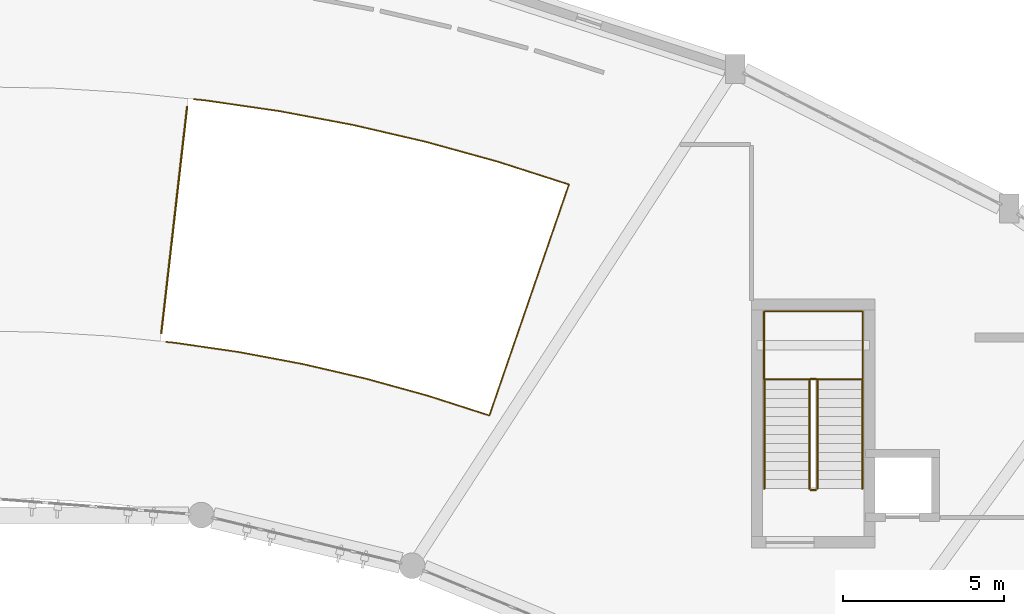
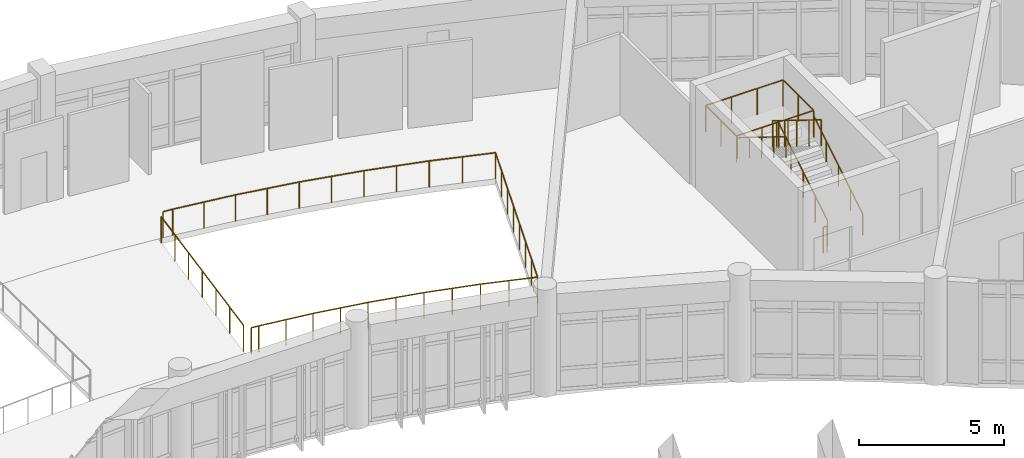
# One storey, part 55 of 57: 10 railings.
"""IFC4 building model written with IfcOpenShell, lengths in metres."""

from ifc_helpers import new_model, si_unit, direction, frame, origin, origin_2d, place, context, subcontext, project, spatial, circle, extrude, material, type_object, element, save


model = new_model("IFC4")

# Units and contexts
model_context = context("Model", 3, precision=1e-05, world=origin(), true_north=direction((0.0, 1.0)))
body_context = subcontext(model_context, "Body", "Model", "MODEL_VIEW")
ifc_project = project(units=[si_unit("LENGTHUNIT", "METRE"), si_unit("AREAUNIT", "SQUARE_METRE"), si_unit("VOLUMEUNIT", "CUBIC_METRE"), si_unit("PLANEANGLEUNIT", "RADIAN"), si_unit("MASSUNIT", "GRAM", prefix="KILO")], contexts=[model_context])

# Site, building, storey
site_placement = place(None, origin())
site = spatial("IfcSite", under=ifc_project, at=site_placement, CompositionType="ELEMENT")
building_placement = place(site_placement, origin())
building = spatial("IfcBuilding", under=site, at=building_placement, Name="Miralva Faculty of Natural Sciences", CompositionType="ELEMENT")
storey_placement = place(building_placement, frame((0.0, 0.0, 15.0)))
storey = spatial("IfcBuildingStorey", under=building, at=storey_placement, Name="L03", CompositionType="ELEMENT", Elevation=15.0)

# Railings
ifc_material_1 = material(Name="Steel S355", Category="steel")
railing_type_1 = type_object("IfcRailingType", Name="RL-GR01", PredefinedType="GUARDRAIL", material=ifc_material_1)
railing_1_placement = place(storey_placement, frame((115.89990234375, 22.300048828125, 0.173095703125)))
element("IfcRailing", 1, at=railing_1_placement, inside=storey, type_object=railing_type_1, Name="Stair Core C3 safety guard L03-1", PredefinedType="GUARDRAIL", context=body_context, shape_type="SweptSolid", body=[
    extrude(circle(Radius=0.02392578125, at=origin_2d()), frame((0.0, 0.0, 1.09619140625), z_axis=(0.0, 0.850606129759, 0.525803396734), x_axis=(-1.0, 0.0, 0.0)), (0.0, 0.0, 1.0), 3.949951171875),
    extrude(circle(Radius=0.02099609375, at=origin_2d()), origin(), (0.0, 0.0, 1.0), 1.072021484375),
    extrude(circle(Radius=0.02099609375, at=origin_2d()), frame((0.0, 0.83984375, 0.519287109375)), (0.0, 0.0, 1.0), 1.072021484375),
    extrude(circle(Radius=0.02099609375, at=origin_2d()), frame((0.0, 1.679931640625, 1.03857421875)), (0.0, 0.0, 1.0), 1.072021484375),
    extrude(circle(Radius=0.02099609375, at=origin_2d()), frame((0.0, 2.52001953125, 1.5576171875)), (0.0, 0.0, 1.0), 1.072021484375),
    extrude(circle(Radius=0.02099609375, at=origin_2d()), frame((0.0, 3.35986328125, 2.076904296875)), (0.0, 0.0, 1.0), 1.072021484375),
])
railing_2_placement = place(storey_placement, frame((115.85009765625, 25.7099609375, 2.25)))
element("IfcRailing", 2, at=railing_2_placement, inside=storey, type_object=railing_type_1, Name="Stair Core C3 safety guard L03-2", PredefinedType="GUARDRAIL", context=body_context, shape_type="SweptSolid", body=[
    extrude(circle(Radius=0.02392578125, at=origin_2d()), frame((0.0, 0.0, 1.09619140625), z_axis=(-1.0, 0.0, 0.0), x_axis=(0.0, -1.0, 0.0)), (0.0, 0.0, 1.0), 0.150146484375),
    extrude(circle(Radius=0.02099609375, at=origin_2d()), origin(), (0.0, 0.0, 1.0), 1.072021484375),
    extrude(circle(Radius=0.02099609375, at=origin_2d()), frame((-0.150146484375, 0.0, 0.0)), (0.0, 0.0, 1.0), 1.072021484375),
])
railing_3_placement = place(storey_placement, frame((115.64990234375, 25.659912109375, 2.423095703125)))
element("IfcRailing", 3, at=railing_3_placement, inside=storey, type_object=railing_type_1, Name="Stair Core C3 safety guard L03-3", PredefinedType="GUARDRAIL", context=body_context, shape_type="SweptSolid", body=[
    extrude(circle(Radius=0.02392578125, at=origin_2d()), frame((0.0, 0.0, 1.09619140625), z_axis=(0.0, -0.850606129759, 0.525803396734), x_axis=(1.0, 0.0, 0.0)), (0.0, 0.0, 1.0), 3.949951171875),
    extrude(circle(Radius=0.02099609375, at=origin_2d()), origin(), (0.0, 0.0, 1.0), 1.072021484375),
    extrude(circle(Radius=0.02099609375, at=origin_2d()), frame((0.0, -0.83984375, 0.519287109375)), (0.0, 0.0, 1.0), 1.072021484375),
    extrude(circle(Radius=0.02099609375, at=origin_2d()), frame((0.0, -1.679931640625, 1.03857421875)), (0.0, 0.0, 1.0), 1.072021484375),
    extrude(circle(Radius=0.02099609375, at=origin_2d()), frame((0.0, -2.52001953125, 1.5576171875)), (0.0, 0.0, 1.0), 1.072021484375),
    extrude(circle(Radius=0.02099609375, at=origin_2d()), frame((0.0, -3.35986328125, 2.076904296875)), (0.0, 0.0, 1.0), 1.072021484375),
])
railing_4_placement = place(storey_placement, frame((115.85009765625, 22.25, 0.0)))
element("IfcRailing", 4, at=railing_4_placement, inside=storey, type_object=railing_type_1, Name="Stair Core C3 safety guard L03-4", PredefinedType="GUARDRAIL", context=body_context, shape_type="SweptSolid", body=[
    extrude(circle(Radius=0.02392578125, at=origin_2d()), frame((0.0, 0.0, 1.09619140625), z_axis=(-1.0, 0.0, 0.0), x_axis=(0.0, -1.0, 0.0)), (0.0, 0.0, 1.0), 0.150146484375),
    extrude(circle(Radius=0.02099609375, at=origin_2d()), origin(), (0.0, 0.0, 1.0), 1.072021484375),
    extrude(circle(Radius=0.02099609375, at=origin_2d()), frame((-0.150146484375, 0.0, 0.0)), (0.0, 0.0, 1.0), 1.072021484375),
])
railing_5_placement = place(storey_placement, frame((114.239990234375, 25.699951171875, 2.25)))
element("IfcRailing", 5, at=railing_5_placement, inside=storey, type_object=railing_type_1, Name="Stair Core C3 half-landing guard L03-1A", PredefinedType="GUARDRAIL", context=body_context, shape_type="SweptSolid", body=[
    extrude(circle(Radius=0.02392578125, at=origin_2d()), frame((0.0, 0.0, 1.09619140625), z_axis=(0.0, 1.0, 0.0), x_axis=(-1.0, 0.0, 0.0)), (0.0, 0.0, 1.0), 2.110107421875),
    extrude(circle(Radius=0.02392578125, at=origin_2d()), frame((0.0, 2.110107421875, 1.09619140625), z_axis=(1.0, 0.0, 0.0), x_axis=(0.0, 1.0, 0.0)), (0.0, 0.0, 1.0), 3.070068359375),
    extrude(circle(Radius=0.02099609375, at=origin_2d()), origin(), (0.0, 0.0, 1.0), 1.072021484375),
    extrude(circle(Radius=0.02099609375, at=origin_2d()), frame((0.0, 1.05517578125, 0.0)), (0.0, 0.0, 1.0), 1.072021484375),
    extrude(circle(Radius=0.02099609375, at=origin_2d()), frame((0.0, 2.110107421875, 0.0)), (0.0, 0.0, 1.0), 1.072021484375),
    extrude(circle(Radius=0.02099609375, at=origin_2d()), frame((1.0234375, 2.110107421875, 0.0)), (0.0, 0.0, 1.0), 1.072021484375),
    extrude(circle(Radius=0.02099609375, at=origin_2d()), frame((2.046630859375, 2.110107421875, 0.0)), (0.0, 0.0, 1.0), 1.072021484375),
    extrude(circle(Radius=0.02099609375, at=origin_2d()), frame((3.070068359375, 2.110107421875, 0.0)), (0.0, 0.0, 1.0), 1.072021484375),
])
railing_6_placement = place(storey_placement, frame((117.31005859375, 27.81005859375, 2.25)))
element("IfcRailing", 6, at=railing_6_placement, inside=storey, type_object=railing_type_1, Name="Stair Core C3 half-landing guard L03-1B", PredefinedType="GUARDRAIL", context=body_context, shape_type="SweptSolid", body=[
    extrude(circle(Radius=0.02392578125, at=origin_2d()), frame((0.0, 0.0, 1.09619140625), z_axis=(0.0, -1.0, 0.0), x_axis=(1.0, 0.0, 0.0)), (0.0, 0.0, 1.0), 2.110107421875),
    extrude(circle(Radius=0.02392578125, at=origin_2d()), frame((0.0, -2.110107421875, 1.09619140625), z_axis=(-1.0, 0.0, 0.0), x_axis=(0.0, -1.0, 0.0)), (0.0, 0.0, 1.0), 3.070068359375),
    extrude(circle(Radius=0.02099609375, at=origin_2d()), origin(), (0.0, 0.0, 1.0), 1.072021484375),
    extrude(circle(Radius=0.02099609375, at=origin_2d()), frame((0.0, -1.05517578125, 0.0)), (0.0, 0.0, 1.0), 1.072021484375),
    extrude(circle(Radius=0.02099609375, at=origin_2d()), frame((0.0, -2.110107421875, 0.0)), (0.0, 0.0, 1.0), 1.072021484375),
    extrude(circle(Radius=0.02099609375, at=origin_2d()), frame((-1.0234375, -2.110107421875, 0.0)), (0.0, 0.0, 1.0), 1.072021484375),
    extrude(circle(Radius=0.02099609375, at=origin_2d()), frame((-2.046630859375, -2.110107421875, 0.0)), (0.0, 0.0, 1.0), 1.072021484375),
    extrude(circle(Radius=0.02099609375, at=origin_2d()), frame((-3.070068359375, -2.110107421875, 0.0)), (0.0, 0.0, 1.0), 1.072021484375),
])
ifc_material_2 = material(Name="White powder-coated steel balustrade", Category="steel")
railing_type_2 = type_object("IfcRailingType", Name="RL-GR02", PredefinedType="BALUSTRADE", material=ifc_material_2)
railing_7_placement = place(storey_placement, frame((96.494873046875, 34.414306640625, 0.0)))
element("IfcRailing", 7, at=railing_7_placement, inside=storey, type_object=railing_type_2, Name="Atrium curved white gallery balustrade L03-21", PredefinedType="BALUSTRADE", context=body_context, shape_type="SweptSolid", body=[
    extrude(circle(Radius=0.02392578125, at=origin_2d()), frame((0.0, 0.0, 1.09619140625), z_axis=(0.994772635223, -0.102114662079, 0.0), x_axis=(0.102114662079, 0.994772635223, 0.0)), (0.0, 0.0, 1.0), 0.361083984375),
    extrude(circle(Radius=0.02392578125, at=origin_2d()), frame((0.359130859375, -0.036865234375, 1.09619140625), z_axis=(0.989655632774, -0.143463335101, 0.0), x_axis=(0.143463335101, 0.989655632774, 0.0)), (0.0, 0.0, 1.0), 2.326416015625),
    extrude(circle(Radius=0.02392578125, at=origin_2d()), frame((2.661376953125, -0.37060546875, 1.09619140625), z_axis=(0.982813922885, -0.184599005911, 0.0), x_axis=(0.184599005911, 0.982813922885, 0.0)), (0.0, 0.0, 1.0), 2.326416015625),
    extrude(circle(Radius=0.02392578125, at=origin_2d()), frame((4.94775390625, -0.800048828125, 1.09619140625), z_axis=(0.974235308545, -0.225533952177, 0.0), x_axis=(0.225533952177, 0.974235308545, 0.0)), (0.0, 0.0, 1.0), 2.326171875),
    extrude(circle(Radius=0.02392578125, at=origin_2d()), frame((7.214111328125, -1.32470703125, 1.09619140625), z_axis=(0.964028785432, -0.265797857135, 0.0), x_axis=(0.265797857135, 0.964028785432, 0.0)), (0.0, 0.0, 1.0), 2.32666015625),
    extrude(circle(Radius=0.02392578125, at=origin_2d()), frame((9.45703125, -1.943115234375, 1.09619140625), z_axis=(0.952120244936, -0.30572379558, 0.0), x_axis=(0.30572379558, 0.952120244936, 0.0)), (0.0, 0.0, 1.0), 2.326171875),
    extrude(circle(Radius=0.02392578125, at=origin_2d()), frame((11.671875, -2.654296875, 1.09619140625), z_axis=(-0.325569907155, -0.945517972095, 0.0), x_axis=(0.945517972095, -0.325569907155, 0.0)), (0.0, 0.0, 1.0), 7.60009765625),
    extrude(circle(Radius=0.02392578125, at=origin_2d()), frame((9.197509765625, -9.84033203125, 1.09619140625), z_axis=(-0.952100584939, 0.305785016242, 0.0), x_axis=(-0.305785016242, -0.952100584939, 0.0)), (0.0, 0.0, 1.0), 2.009521484375),
    extrude(circle(Radius=0.02392578125, at=origin_2d()), frame((7.2841796875, -9.225830078125, 1.09619140625), z_axis=(-0.964022682482, 0.265819991086, 0.0), x_axis=(-0.265819991086, -0.964022682482, 0.0)), (0.0, 0.0, 1.0), 2.009521484375),
    extrude(circle(Radius=0.02392578125, at=origin_2d()), frame((5.346923828125, -8.691650390625, 1.09619140625), z_axis=(-0.974239432549, 0.225516137043, 0.0), x_axis=(-0.225516137043, -0.974239432549, 0.0)), (0.0, 0.0, 1.0), 2.00927734375),
    extrude(circle(Radius=0.02392578125, at=origin_2d()), frame((3.389404296875, -8.238525390625, 1.09619140625), z_axis=(-0.982825394472, 0.184537920173, 0.0), x_axis=(-0.184537920173, -0.982825394472, 0.0)), (0.0, 0.0, 1.0), 2.009521484375),
    extrude(circle(Radius=0.02392578125, at=origin_2d()), frame((1.414306640625, -7.86767578125, 1.09619140625), z_axis=(-0.989653349856, 0.143479082516, 0.0), x_axis=(-0.143479082516, -0.989653349856, 0.0)), (0.0, 0.0, 1.0), 2.009521484375),
    extrude(circle(Radius=0.02392578125, at=origin_2d()), frame((-0.574462890625, -7.579345703125, 1.09619140625), z_axis=(-0.994703779281, 0.102783225699, 0.0), x_axis=(-0.102783225699, -0.994703779281, 0.0)), (0.0, 0.0, 1.0), 0.287353515625),
    extrude(circle(Radius=0.02099609375, at=origin_2d()), origin(), (0.0, 0.0, 1.0), 1.072021484375),
    extrude(circle(Radius=0.02099609375, at=origin_2d()), frame((0.359130859375, -0.036865234375, 0.0)), (0.0, 0.0, 1.0), 1.072021484375),
    extrude(circle(Radius=0.02099609375, at=origin_2d()), frame((1.51025390625, -0.20361328125, 0.0)), (0.0, 0.0, 1.0), 1.072021484375),
    extrude(circle(Radius=0.02099609375, at=origin_2d()), frame((2.661376953125, -0.37060546875, 0.0)), (0.0, 0.0, 1.0), 1.072021484375),
    extrude(circle(Radius=0.02099609375, at=origin_2d()), frame((3.8046875, -0.58544921875, 0.0)), (0.0, 0.0, 1.0), 1.072021484375),
    extrude(circle(Radius=0.02099609375, at=origin_2d()), frame((4.94775390625, -0.800048828125, 0.0)), (0.0, 0.0, 1.0), 1.072021484375),
    extrude(circle(Radius=0.02099609375, at=origin_2d()), frame((6.0810546875, -1.0625, 0.0)), (0.0, 0.0, 1.0), 1.072021484375),
    extrude(circle(Radius=0.02099609375, at=origin_2d()), frame((7.214111328125, -1.32470703125, 0.0)), (0.0, 0.0, 1.0), 1.072021484375),
    extrude(circle(Radius=0.02099609375, at=origin_2d()), frame((8.33544921875, -1.6337890625, 0.0)), (0.0, 0.0, 1.0), 1.072021484375),
    extrude(circle(Radius=0.02099609375, at=origin_2d()), frame((9.45703125, -1.943115234375, 0.0)), (0.0, 0.0, 1.0), 1.072021484375),
    extrude(circle(Radius=0.02099609375, at=origin_2d()), frame((10.564453125, -2.298828125, 0.0)), (0.0, 0.0, 1.0), 1.072021484375),
    extrude(circle(Radius=0.02099609375, at=origin_2d()), frame((11.671875, -2.654296875, 0.0)), (0.0, 0.0, 1.0), 1.072021484375),
    extrude(circle(Radius=0.02099609375, at=origin_2d()), frame((11.318359375, -3.680908203125, 0.0)), (0.0, 0.0, 1.0), 1.072021484375),
    extrude(circle(Radius=0.02099609375, at=origin_2d()), frame((10.96484375, -4.70751953125, 0.0)), (0.0, 0.0, 1.0), 1.072021484375),
    extrude(circle(Radius=0.02099609375, at=origin_2d()), frame((10.611328125, -5.734130859375, 0.0)), (0.0, 0.0, 1.0), 1.072021484375),
    extrude(circle(Radius=0.02099609375, at=origin_2d()), frame((10.258056640625, -6.760498046875, 0.0)), (0.0, 0.0, 1.0), 1.072021484375),
    extrude(circle(Radius=0.02099609375, at=origin_2d()), frame((9.904541015625, -7.787109375, 0.0)), (0.0, 0.0, 1.0), 1.072021484375),
    extrude(circle(Radius=0.02099609375, at=origin_2d()), frame((9.551025390625, -8.813720703125, 0.0)), (0.0, 0.0, 1.0), 1.072021484375),
    extrude(circle(Radius=0.02099609375, at=origin_2d()), frame((9.197509765625, -9.84033203125, 0.0)), (0.0, 0.0, 1.0), 1.072021484375),
    extrude(circle(Radius=0.02099609375, at=origin_2d()), frame((8.24072265625, -9.533203125, 0.0)), (0.0, 0.0, 1.0), 1.072021484375),
    extrude(circle(Radius=0.02099609375, at=origin_2d()), frame((7.2841796875, -9.225830078125, 0.0)), (0.0, 0.0, 1.0), 1.072021484375),
    extrude(circle(Radius=0.02099609375, at=origin_2d()), frame((6.3154296875, -8.958740234375, 0.0)), (0.0, 0.0, 1.0), 1.072021484375),
    extrude(circle(Radius=0.02099609375, at=origin_2d()), frame((5.346923828125, -8.691650390625, 0.0)), (0.0, 0.0, 1.0), 1.072021484375),
    extrude(circle(Radius=0.02099609375, at=origin_2d()), frame((4.3681640625, -8.465087890625, 0.0)), (0.0, 0.0, 1.0), 1.072021484375),
    extrude(circle(Radius=0.02099609375, at=origin_2d()), frame((3.389404296875, -8.238525390625, 0.0)), (0.0, 0.0, 1.0), 1.072021484375),
    extrude(circle(Radius=0.02099609375, at=origin_2d()), frame((2.40185546875, -8.05322265625, 0.0)), (0.0, 0.0, 1.0), 1.072021484375),
    extrude(circle(Radius=0.02099609375, at=origin_2d()), frame((1.414306640625, -7.86767578125, 0.0)), (0.0, 0.0, 1.0), 1.072021484375),
    extrude(circle(Radius=0.02099609375, at=origin_2d()), frame((0.419921875, -7.7236328125, 0.0)), (0.0, 0.0, 1.0), 1.072021484375),
    extrude(circle(Radius=0.02099609375, at=origin_2d()), frame((-0.574462890625, -7.579345703125, 0.0)), (0.0, 0.0, 1.0), 1.072021484375),
    extrude(circle(Radius=0.02099609375, at=origin_2d()), frame((-0.8603515625, -7.5498046875, 0.0)), (0.0, 0.0, 1.0), 1.072021484375),
])
railing_8_placement = place(storey_placement, frame((96.28759765625, 34.184326171875, 0.0)))
element("IfcRailing", 8, at=railing_8_placement, inside=storey, type_object=railing_type_2, Name="Atrium bridge balustrade L03-1", PredefinedType="BALUSTRADE", context=body_context, shape_type="SweptSolid", body=[
    extrude(circle(Radius=0.02392578125, at=origin_2d()), frame((0.0, 0.0, 1.09619140625), z_axis=(-0.113216803441, -0.993570307235, 0.0), x_axis=(0.993570307235, -0.113216803441, 0.0)), (0.0, 0.0, 1.0), 7.098876953125),
    extrude(circle(Radius=0.02099609375, at=origin_2d()), origin(), (0.0, 0.0, 1.0), 1.072021484375),
    extrude(circle(Radius=0.02099609375, at=origin_2d()), frame((-0.134033203125, -1.175537109375, 0.0)), (0.0, 0.0, 1.0), 1.072021484375),
    extrude(circle(Radius=0.02099609375, at=origin_2d()), frame((-0.267822265625, -2.35107421875, 0.0)), (0.0, 0.0, 1.0), 1.072021484375),
    extrude(circle(Radius=0.02099609375, at=origin_2d()), frame((-0.40185546875, -3.526611328125, 0.0)), (0.0, 0.0, 1.0), 1.072021484375),
    extrude(circle(Radius=0.02099609375, at=origin_2d()), frame((-0.535888671875, -4.7021484375, 0.0)), (0.0, 0.0, 1.0), 1.072021484375),
    extrude(circle(Radius=0.02099609375, at=origin_2d()), frame((-0.669677734375, -5.877685546875, 0.0)), (0.0, 0.0, 1.0), 1.072021484375),
    extrude(circle(Radius=0.02099609375, at=origin_2d()), frame((-0.8037109375, -7.05322265625, 0.0)), (0.0, 0.0, 1.0), 1.072021484375),
])
railing_type_3 = type_object("IfcRailingType", Name="RL-HR01", PredefinedType="HANDRAIL", material=ifc_material_1)
railing_9_placement = place(storey_placement, frame((117.300048828125, 22.300048828125, 0.173095703125)))
element("IfcRailing", 9, at=railing_9_placement, inside=storey, type_object=railing_type_3, Name="Stair Core C3 handrail L03-1", PredefinedType="HANDRAIL", context=body_context, shape_type="SweptSolid", body=[
    extrude(circle(Radius=0.02392578125, at=origin_2d()), frame((0.0, 0.0, 0.8759765625), z_axis=(0.0, 0.850606129759, 0.525803396734), x_axis=(-1.0, 0.0, 0.0)), (0.0, 0.0, 1.0), 3.949951171875),
    extrude(circle(Radius=0.02099609375, at=origin_2d()), origin(), (0.0, 0.0, 1.0), 0.851806640625),
    extrude(circle(Radius=0.02099609375, at=origin_2d()), frame((0.0, 0.83984375, 0.519287109375)), (0.0, 0.0, 1.0), 0.851806640625),
    extrude(circle(Radius=0.02099609375, at=origin_2d()), frame((0.0, 1.679931640625, 1.03857421875)), (0.0, 0.0, 1.0), 0.851806640625),
    extrude(circle(Radius=0.02099609375, at=origin_2d()), frame((0.0, 2.52001953125, 1.5576171875)), (0.0, 0.0, 1.0), 0.851806640625),
    extrude(circle(Radius=0.02099609375, at=origin_2d()), frame((0.0, 3.35986328125, 2.076904296875)), (0.0, 0.0, 1.0), 0.851806640625),
])
railing_10_placement = place(storey_placement, frame((114.25, 25.659912109375, 2.423095703125)))
element("IfcRailing", 10, at=railing_10_placement, inside=storey, type_object=railing_type_3, Name="Stair Core C3 handrail L03-2", PredefinedType="HANDRAIL", context=body_context, shape_type="SweptSolid", body=[
    extrude(circle(Radius=0.02392578125, at=origin_2d()), frame((0.0, 0.0, 0.8759765625), z_axis=(0.0, -0.850606129759, 0.525803396734), x_axis=(1.0, 0.0, 0.0)), (0.0, 0.0, 1.0), 3.949951171875),
    extrude(circle(Radius=0.02099609375, at=origin_2d()), origin(), (0.0, 0.0, 1.0), 0.851806640625),
    extrude(circle(Radius=0.02099609375, at=origin_2d()), frame((0.0, -0.83984375, 0.519287109375)), (0.0, 0.0, 1.0), 0.851806640625),
    extrude(circle(Radius=0.02099609375, at=origin_2d()), frame((0.0, -1.679931640625, 1.03857421875)), (0.0, 0.0, 1.0), 0.851806640625),
    extrude(circle(Radius=0.02099609375, at=origin_2d()), frame((0.0, -2.52001953125, 1.5576171875)), (0.0, 0.0, 1.0), 0.851806640625),
    extrude(circle(Radius=0.02099609375, at=origin_2d()), frame((0.0, -3.35986328125, 2.076904296875)), (0.0, 0.0, 1.0), 0.851806640625),
])

save(model, "model.ifc")
